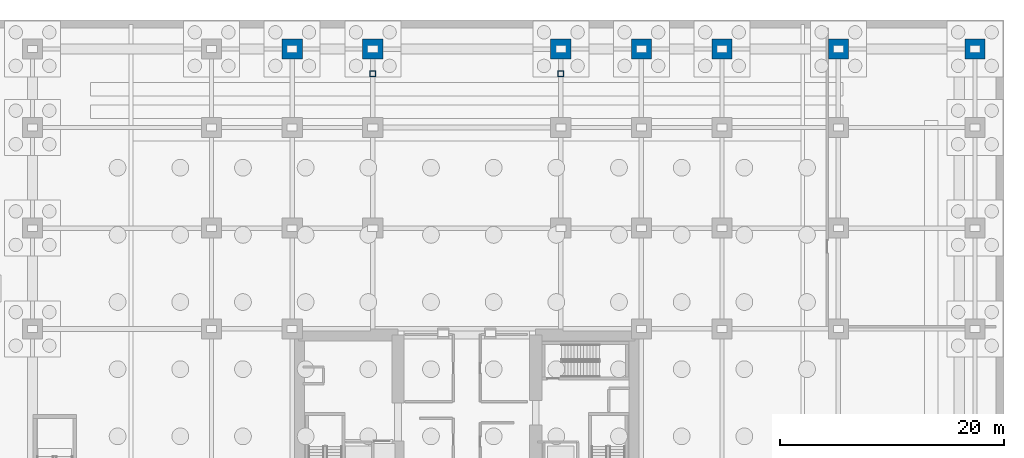
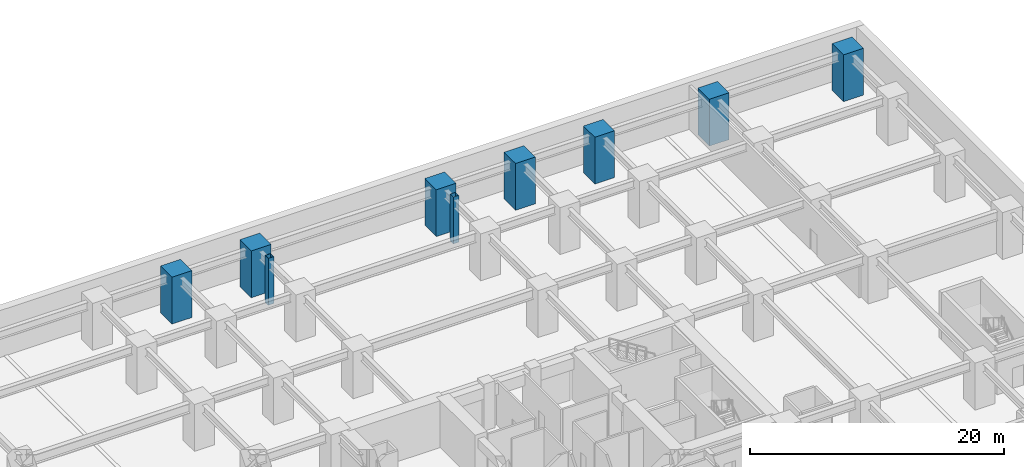
# One storey, part 5 of 23: 9 columns.
"""IFC4 building model written with IfcOpenShell, lengths in metres."""

import ifcopenshell
import ifcopenshell.guid

model = None  # the IFC model being written
_history = None  # IfcOwnerHistory: only IFC2X3 demands one
_inside = {}  # id of a spatial element -> (the spatial element, [elements in it])
_under = {}  # id of a project, library or spatial element -> (it, [spatial elements below it])
_declared = {}  # id of a project -> (the project, [libraries it declares])
_typed = {}  # id of a type object -> (the type object, [elements of that type])
_made_of = {}  # id of a material, layer set ... -> (it, [elements and type objects made of it])


def new_model(schema):
    """Start an empty IFC model of exactly this schema.

    Asked for "IFC4X3", IfcOpenShell would pick the latest addendum, in which some entities
    have other attributes; the version numbers below select the first issue.
    IFC2X3 requires an IfcOwnerHistory on every rooted entity: one is made here for all.
    """
    global model, _history
    if schema == "IFC4X3":
        model = ifcopenshell.file(schema_version=(4, 3, 0, 0))
    else:
        model = ifcopenshell.file(schema=schema)
    _inside.clear()
    _under.clear()
    _declared.clear()
    _typed.clear()
    _made_of.clear()
    _history = None
    if model.schema == "IFC2X3":
        org = make("IfcOrganization", Name="unknown")
        user = make(
            "IfcPersonAndOrganization",
            ThePerson=make("IfcPerson", FamilyName="unknown"),
            TheOrganization=org,
        )
        app = make(
            "IfcApplication",
            ApplicationDeveloper=org,
            Version="unknown",
            ApplicationFullName="unknown",
            ApplicationIdentifier="unknown",
        )
        _history = make(
            "IfcOwnerHistory",
            OwningUser=user,
            OwningApplication=app,
            ChangeAction="ADDED",
            CreationDate=0,
        )
    return model


def make(cls, **values):
    """One entity of the class cls with the attributes given. An attribute that is None is left unset."""
    return model.create_entity(
        cls, **{name: value for name, value in values.items() if value is not None}
    )


def rooted(cls, **values):
    """An entity with a GlobalId (a new one), such as an element, a storey or a relation."""
    return make(cls, GlobalId=ifcopenshell.guid.new(), OwnerHistory=_history, **values)


def si_unit(unit_type, name, prefix=None):
    """IfcSIUnit, for example si_unit("LENGTHUNIT", "METRE", prefix="MILLI")."""
    return make("IfcSIUnit", UnitType=unit_type, Prefix=prefix, Name=name)


def assignment(units):
    """IfcUnitAssignment: the units of a project."""
    return None if units is None else make("IfcUnitAssignment", Units=units)


def point(xyz):
    """IfcCartesianPoint."""
    return None if xyz is None else make("IfcCartesianPoint", Coordinates=xyz)


def direction(xyz):
    """IfcDirection."""
    return None if xyz is None else make("IfcDirection", DirectionRatios=xyz)


def frame(location, z_axis=None, x_axis=None):
    """IfcAxis2Placement3D, a coordinate frame: its origin and axes. An axis left out is left unset."""
    return make(
        "IfcAxis2Placement3D",
        Location=point(location),
        Axis=direction(z_axis),
        RefDirection=direction(x_axis),
    )


def frame_2d(location, x_axis=None):
    """IfcAxis2Placement2D, a coordinate frame in the plane: its origin and x axis."""
    return make(
        "IfcAxis2Placement2D", Location=point(location), RefDirection=direction(x_axis)
    )


def origin():
    """The frame at (0, 0, 0) with its axes left unset."""
    return frame((0.0, 0.0, 0.0))


def origin_2d():
    """The frame at (0, 0) in the plane with its x axis left unset."""
    return frame_2d((0.0, 0.0))


def place(relative_to, where):
    """IfcLocalPlacement: puts the frame where relative to a parent placement (None: the world)."""
    return make(
        "IfcLocalPlacement", PlacementRelTo=relative_to, RelativePlacement=where
    )


def context(
    kind, dimensions, precision=None, world=None, true_north=None, identifier=None
):
    """IfcGeometricRepresentationContext, for example the 3D "Model" context."""
    return make(
        "IfcGeometricRepresentationContext",
        ContextIdentifier=identifier,
        ContextType=kind,
        CoordinateSpaceDimension=dimensions,
        Precision=precision,
        WorldCoordinateSystem=world,
        TrueNorth=true_north,
    )


def subcontext(parent, identifier, kind, view, scale=None):
    """IfcGeometricRepresentationSubContext, for example "Body" below "Model"."""
    return make(
        "IfcGeometricRepresentationSubContext",
        ContextIdentifier=identifier,
        ContextType=kind,
        ParentContext=parent,
        TargetScale=scale,
        TargetView=view,
    )


def project(units=None, contexts=None):
    """IfcProject with its units and contexts."""
    return rooted(
        "IfcProject",
        Name="project",
        RepresentationContexts=contexts,
        UnitsInContext=assignment(units),
    )


def spatial(cls, under=None, at=None, **own):
    """A site, building, storey or space (cls), placed at a placement, below another one or the project."""
    s = rooted(cls, ObjectPlacement=at, **own)
    if under is not None:
        _under.setdefault(under.id(), (under, []))[1].append(s)
    return s


def profile(cls, at=None, kind="AREA", **sizes):
    """A parametric profile (cls). Its sizes go by their IFC names, for example OverallWidth=200.0."""
    return make(cls, ProfileType=kind, Position=at, **sizes)


def rectangle(**sizes):
    """IfcRectangleProfileDef."""
    return profile("IfcRectangleProfileDef", **sizes)


def hollow_rectangle(**sizes):
    """IfcRectangleHollowProfileDef."""
    return profile("IfcRectangleHollowProfileDef", **sizes)


def extrude(swept, where, along, depth):
    """IfcExtrudedAreaSolid: the profile swept, set in the frame where, extruded along a direction by depth."""
    return make(
        "IfcExtrudedAreaSolid",
        SweptArea=swept,
        Position=where,
        ExtrudedDirection=direction(along),
        Depth=depth,
    )


def shape(context_of_items, identifier, shape_type, items):
    """IfcShapeRepresentation: the items that make up one representation, for example the "Body"."""
    return make(
        "IfcShapeRepresentation",
        ContextOfItems=context_of_items,
        RepresentationIdentifier=identifier,
        RepresentationType=shape_type,
        Items=items,
    )


def material(Name=None, Category=None):
    """IfcMaterial."""
    return make("IfcMaterial", Name=Name, Category=Category)


def material_profile(
    of_material, cross_section, Name=None, Category=None, Priority=None
):
    """IfcMaterialProfile: a cross section and its material."""
    return make(
        "IfcMaterialProfile",
        Name=Name,
        Material=of_material,
        Profile=cross_section,
        Priority=Priority,
        Category=Category,
    )


def profile_set(profiles, Name=None, composite=None):
    """IfcMaterialProfileSet."""
    return make(
        "IfcMaterialProfileSet",
        Name=Name,
        MaterialProfiles=profiles,
        CompositeProfile=composite,
    )


def made_of(thing, what):
    """Note that an element or type object is made of a material, layer set ...; save() writes the relation."""
    if what is not None:
        _made_of.setdefault(what.id(), (what, []))[1].append(thing)
    return thing


def type_object(cls, material=None, **own):
    """A type object (cls), such as IfcWallType, which elements share."""
    return made_of(rooted(cls, **own), material)


def element(
    cls,
    number,
    at=None,
    inside=None,
    cuts=None,
    type_object=None,
    material=None,
    context=None,
    identifier="Body",
    shape_type=None,
    held_by="IfcProductDefinitionShape",
    body=None,
    shapes=None,
    **own,
):
    """One element of the class cls, such as IfcWall. Its Tag is "e" and its number.

    at: its placement. inside: the storey or other place that contains it. cuts: it is an
    opening in that element (IfcRelVoidsElement). A single representation is given by context,
    identifier, shape_type and body (its items); several are given by shapes. held_by: the class
    of the entity that holds the representations. save() writes the other relations.
    """
    e = rooted(cls, Tag="e%d" % number, ObjectPlacement=at, **own)
    if body is not None:
        shapes = [shape(context, identifier, shape_type, body)]
    if shapes is not None:
        e.Representation = make(held_by, Representations=shapes)
    if inside is not None:
        _inside.setdefault(inside.id(), (inside, []))[1].append(e)
    if cuts is not None:
        rooted(
            "IfcRelVoidsElement", RelatingBuildingElement=cuts, RelatedOpeningElement=e
        )
    if type_object is not None:
        _typed.setdefault(type_object.id(), (type_object, []))[1].append(e)
    return made_of(e, material)


def aggregate(whole, parts):
    """IfcRelAggregates: a whole, such as a stair, and the parts it consists of."""
    return rooted("IfcRelAggregates", RelatingObject=whole, RelatedObjects=parts)


def save(model, path):
    """Write the relations noted so far, then the file.

    IfcRelAggregates (storeys below a building ...), IfcRelContainedInSpatialStructure (elements
    in a storey), IfcRelDefinesByType, IfcRelAssociatesMaterial and IfcRelDeclares: one each for
    every whole, place, type object, material and project.
    """
    for whole, parts in _under.values():
        aggregate(whole, parts)
    for where, things in _inside.values():
        rooted(
            "IfcRelContainedInSpatialStructure",
            RelatedElements=things,
            RelatingStructure=where,
        )
    for kind, things in _typed.values():
        rooted("IfcRelDefinesByType", RelatedObjects=things, RelatingType=kind)
    for what, things in _made_of.values():
        rooted("IfcRelAssociatesMaterial", RelatedObjects=things, RelatingMaterial=what)
    for by, libraries in _declared.values():
        rooted("IfcRelDeclares", RelatingContext=by, RelatedDefinitions=libraries)
    model.write(path)


model = new_model("IFC4")

# Units and contexts
model_context = context("Model", 3, precision=1e-05, world=origin(), true_north=direction((0.0, 1.0)))
body_context = subcontext(model_context, "Body", "Model", "MODEL_VIEW")
ifc_project = project(units=[si_unit("LENGTHUNIT", "METRE"), si_unit("AREAUNIT", "SQUARE_METRE"), si_unit("VOLUMEUNIT", "CUBIC_METRE"), si_unit("PLANEANGLEUNIT", "RADIAN"), si_unit("MASSUNIT", "GRAM", prefix="KILO")], contexts=[model_context])

# Site, building, storey
site_placement = place(None, origin())
site = spatial("IfcSite", under=ifc_project, at=site_placement, CompositionType="ELEMENT")
building_placement = place(site_placement, origin())
building = spatial("IfcBuilding", under=site, at=building_placement, Name="Kiyonajd Concourse Tower", CompositionType="ELEMENT")
storey_placement = place(building_placement, frame((0.0, 0.0, -9.0)))
storey = spatial("IfcBuildingStorey", under=building, at=storey_placement, Name="B2", CompositionType="ELEMENT", Elevation=-9.0)

# Columns
ifc_material_1 = material(Name="Concrete C80/95", Category="concrete")
ifc_material_profile_1 = material_profile(ifc_material_1, rectangle(XDim=1.800048828125, YDim=1.800048828125, at=origin_2d()), Name="RC-1800x1800")
ifc_profile_set_1 = profile_set([ifc_material_profile_1], Name="Concrete C80/95")
column_type_1 = type_object("IfcColumnType", Name="CL-MEGA-1800", PredefinedType="COLUMN", material=ifc_profile_set_1)
for number, where, z_axis, x_axis, name in (
    (1, (32.39990234375, 69.39990234375, 0.0), (0.0, 0.0, 1.0), (1.0, 0.0, 0.0), "B2 Podium Mega Column"),
    (2, (39.60009765625, 69.39990234375, 0.0), (0.0, 0.0, 1.0), (1.0, 0.0, 0.0), "B2 Podium Mega Column"),
    (3, (56.39990234375, 69.39990234375, 0.0), (0.0, 0.0, 1.0), (1.0, 0.0, 0.0), "B2 Podium Mega Column"),
    (4, (63.60009765625, 69.39990234375, 0.0), (0.0, 0.0, 1.0), (1.0, 0.0, 0.0), "B2 Podium Mega Column"),
    (5, (70.800048828125, 69.39990234375, 0.0), (0.0, 0.0, 1.0), (1.0, 0.0, 0.0), "B2 Podium Mega Column"),
    (6, (81.199951171875, 69.39990234375, 0.0), (0.0, 0.0, 1.0), (1.0, 0.0, 0.0), "B2 Podium Mega Column"),
    (7, (93.39990234375, 69.39990234375, 0.0), (0.0, 0.0, 1.0), (1.0, 0.0, 0.0), "B2 Podium Mega Column"),
):
    element("IfcColumn", number, at=place(storey_placement, frame(where, z_axis=z_axis, x_axis=x_axis)), inside=storey, type_object=column_type_1, Name=name, PredefinedType="COLUMN", context=body_context, shape_type="SweptSolid", body=[
        extrude(rectangle(XDim=1.800048828125, YDim=1.800048828125, at=origin_2d()), origin(), (0.0, 0.0, 1.0), 4.5),
    ])
ifc_material_2 = material(Name="Steel ASTM A572 Grade 50", Category="steel")
ifc_material_profile_2 = material_profile(ifc_material_2, hollow_rectangle(XDim=0.5, YDim=0.5, WallThickness=0.02490234375, at=origin_2d()), Name="HSS-500x500x25")
ifc_profile_set_2 = profile_set([ifc_material_profile_2], Name="Steel ASTM A572 Grade 50")
column_type_2 = type_object("IfcColumnType", Name="CL-PIL-600", PredefinedType="PILASTER", material=ifc_profile_set_2)
for number, where, z_axis, x_axis, name in (
    (8, (39.60009765625, 67.199951171875, 0.0), (0.0, 0.0, 1.0), (1.0, 0.0, 0.0), "B2 Concourse Facade Pilaster Column"),
    (9, (56.39990234375, 67.199951171875, 0.0), (0.0, 0.0, 1.0), (1.0, 0.0, 0.0), "B2 Concourse Facade Pilaster Column"),
):
    element("IfcColumn", number, at=place(storey_placement, frame(where, z_axis=z_axis, x_axis=x_axis)), inside=storey, type_object=column_type_2, Name=name, PredefinedType="PILASTER", context=body_context, shape_type="SweptSolid", body=[
        extrude(hollow_rectangle(XDim=0.5, YDim=0.5, WallThickness=0.02490234375, at=origin_2d()), origin(), (0.0, 0.0, 1.0), 4.5),
    ])

save(model, "model.ifc")
